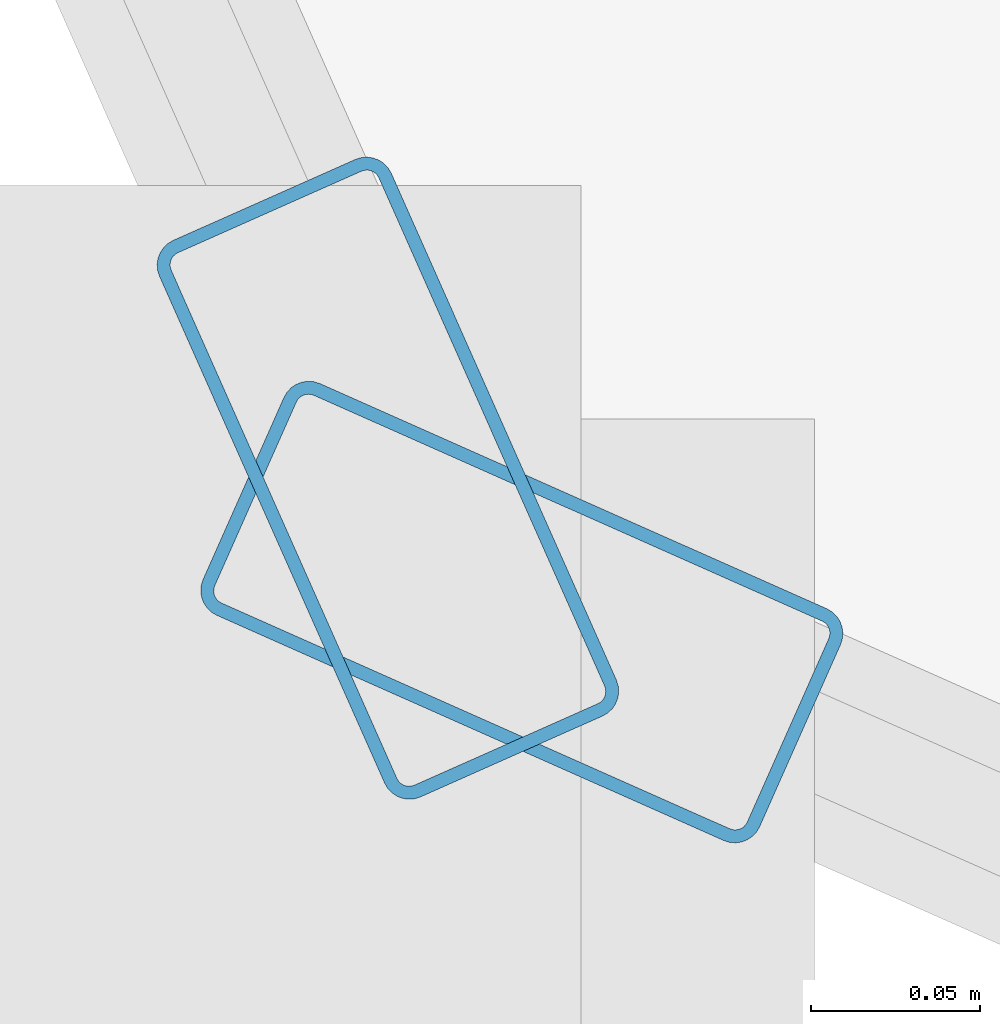
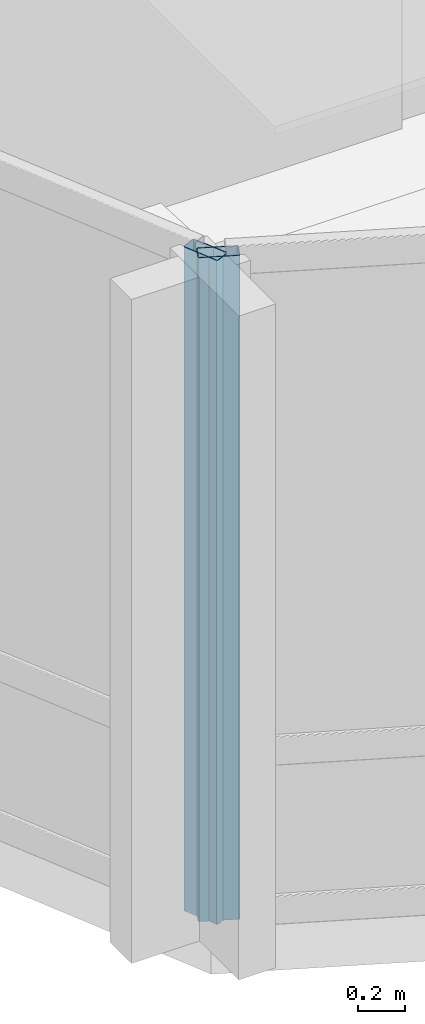
# One storey, part 2 of 29: 2 members, 2 elements without a shape of their own.
"""IFC4 building model written with IfcOpenShell, lengths in metres."""

from ifc_helpers import new_model, si_unit, direction, frame, origin, origin_2d, place, context, subcontext, project, spatial, hollow_rectangle, extrude, material, layer, layer_set, material_profile, profile_set, type_object, element, aggregate, save


model = new_model("IFC4")

# Units and contexts
model_context = context("Model", 3, precision=1e-05, world=origin(), true_north=direction((0.0, 1.0)))
body_context = subcontext(model_context, "Body", "Model", "MODEL_VIEW")
ifc_project = project(units=[si_unit("LENGTHUNIT", "METRE"), si_unit("AREAUNIT", "SQUARE_METRE"), si_unit("VOLUMEUNIT", "CUBIC_METRE"), si_unit("PLANEANGLEUNIT", "RADIAN"), si_unit("MASSUNIT", "GRAM", prefix="KILO")], contexts=[model_context])

# Site, building, storey
site_placement = place(None, origin())
site = spatial("IfcSite", under=ifc_project, at=site_placement, CompositionType="ELEMENT")
building_placement = place(site_placement, origin())
building = spatial("IfcBuilding", under=site, at=building_placement, Name="Solvaryn Broadcast Tower", CompositionType="ELEMENT")
storey_placement = place(building_placement, frame((0.0, 0.0, 113.699951171875)))
storey = spatial("IfcBuildingStorey", under=building, at=storey_placement, Name="L27", CompositionType="ELEMENT", Elevation=113.699951171875)

# Curtain wall, member
ifc_material_1 = material(Name="Aluminium and Terracotta Unitised Curtain Wall", Category="masonry")
ifc_layer = layer(ifc_material_1, 0.199951171875)
ifc_layer_set = layer_set([ifc_layer], Name="CW-SYS2-LOWMID")
curtain_wall_type = type_object("IfcCurtainWallType", Name="CW-SYS2-LOWMID", PredefinedType="NOTDEFINED", material=ifc_layer_set)
curtain_wall_1_placement = place(storey_placement, origin())
curtain_wall_1 = element("IfcCurtainWall", 1, at=curtain_wall_1_placement, inside=storey, type_object=curtain_wall_type, Name="L27 Curtain Wall DR2", PredefinedType="NOTDEFINED")
ifc_material_2 = material(Name="Anodised Aluminium 6063-T6", Category="aluminium")
ifc_material_profile = material_profile(ifc_material_2, hollow_rectangle(XDim=0.074951171875, YDim=0.179931640625, WallThickness=0.00390625, InnerFilletRadius=0.00390625, OuterFilletRadius=0.008056640625, at=origin_2d()))
ifc_profile_set = profile_set([ifc_material_profile], Name="Anodised Aluminium 6063-T6")
member_type = type_object("IfcMemberType", Name="CW-MUL-180", PredefinedType="MULLION", material=ifc_profile_set)
member_1_placement = place(storey_placement, frame((8.895751953125, 8.935302734375, 0.0), z_axis=(0.0, 0.0, 1.0), x_axis=(0.913909311008, 0.405918429309, 0.0)))
member_1 = element("IfcMember", 2, at=member_1_placement, type_object=member_type, Name="CWS2 mullion 2", PredefinedType="MULLION", context=body_context, shape_type="SweptSolid", body=[
    extrude(hollow_rectangle(XDim=0.074951171875, YDim=0.179931640625, WallThickness=0.00390625, InnerFilletRadius=0.00390625, OuterFilletRadius=0.008056640625, at=origin_2d()), origin(), (0.0, 0.0, 1.0), 3.420166015625),
])
aggregate(curtain_wall_1, [member_1])

curtain_wall_2_placement = place(storey_placement, origin())
curtain_wall_2 = element("IfcCurtainWall", 3, at=curtain_wall_2_placement, inside=storey, type_object=curtain_wall_type, Name="L27 Curtain Wall DR3", PredefinedType="NOTDEFINED")
member_2_placement = place(storey_placement, frame((8.935302734375, 8.895751953125, 0.0), z_axis=(0.0, 0.0, 1.0), x_axis=(0.405918429309, 0.913909311008, 0.0)))
member_2 = element("IfcMember", 4, at=member_2_placement, type_object=member_type, Name="CWS2 mullion 1", PredefinedType="MULLION", context=body_context, shape_type="SweptSolid", body=[
    extrude(hollow_rectangle(XDim=0.074951171875, YDim=0.179931640625, WallThickness=0.00390625, InnerFilletRadius=0.00390625, OuterFilletRadius=0.008056640625, at=origin_2d()), origin(), (0.0, 0.0, 1.0), 3.420166015625),
])
aggregate(curtain_wall_2, [member_2])

save(model, "model.ifc")
